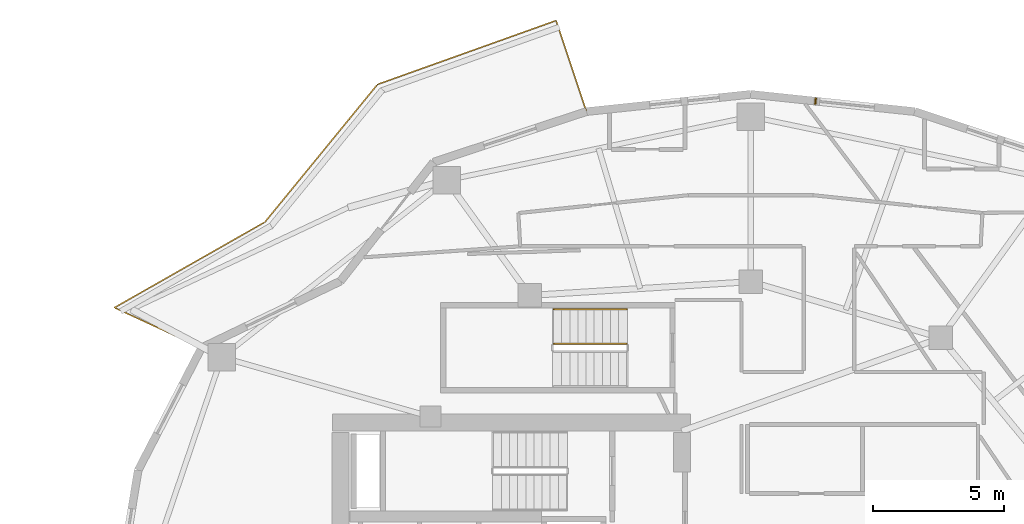
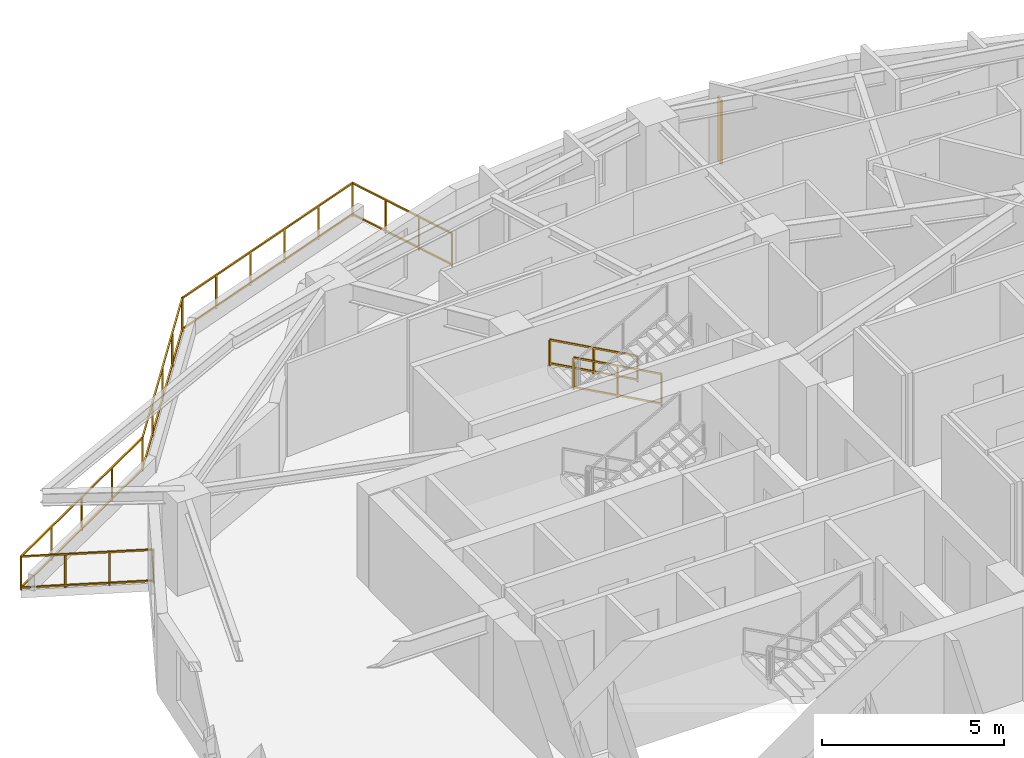
# One storey, part 16 of 17: 3 railings, 1 shading device.
"""IFC4 building model written with IfcOpenShell, lengths in metres."""

from ifc_helpers import new_model, si_unit, direction, frame, origin, origin_2d, place, context, subcontext, project, spatial, rectangle, extrude, material, type_object, element, save


model = new_model("IFC4")

# Units and contexts
model_context = context("Model", 3, precision=1e-05, world=origin(), true_north=direction((0.0, 1.0)))
body_context = subcontext(model_context, "Body", "Model", "MODEL_VIEW")
ifc_project = project(units=[si_unit("LENGTHUNIT", "METRE"), si_unit("AREAUNIT", "SQUARE_METRE"), si_unit("VOLUMEUNIT", "CUBIC_METRE"), si_unit("PLANEANGLEUNIT", "RADIAN"), si_unit("MASSUNIT", "GRAM", prefix="KILO")], contexts=[model_context])

# Site, building, storey
site_placement = place(None, origin())
site = spatial("IfcSite", under=ifc_project, at=site_placement, CompositionType="ELEMENT")
building_placement = place(site_placement, origin())
building = spatial("IfcBuilding", under=site, at=building_placement, Name="Kolvaren Gate Tower and Convention Centre", CompositionType="ELEMENT")
storey_placement = place(building_placement, frame((0.0, 0.0, 125.699951171875)))
storey = spatial("IfcBuildingStorey", under=building, at=storey_placement, Name="L31", CompositionType="ELEMENT", Elevation=125.699951171875)

# Railings
ifc_material_1 = material(Name="Brushed Stainless Steel Grade 316L", Category="steel")
railing_type_1 = type_object("IfcRailingType", Name="ARCH-RL-GUARD-1150", PredefinedType="GUARDRAIL", material=ifc_material_1)
railing_1_placement = place(storey_placement, frame((25.39990234375, 36.830078125, 0.170166015625)))
element("IfcRailing", 1, at=railing_1_placement, inside=storey, type_object=railing_type_1, Name="L31 ST-T3 stair guard 1", PredefinedType="GUARDRAIL", context=body_context, shape_type="SweptSolid", body=[
    extrude(rectangle(XDim=0.048095703125, YDim=0.048095703125, at=origin_2d()), frame((0.0, 0.0, 1.076171875), z_axis=(-0.876825974686, 0.0, 0.480807872353), x_axis=(0.0, -1.0, 0.0)), (0.0, 0.0, 1.0), 3.181640625),
    extrude(rectangle(XDim=0.048095703125, YDim=0.048095703125, at=origin_2d()), frame((0.0, 0.0, 0.083984375), z_axis=(-0.876825974686, 0.0, 0.480807872353), x_axis=(0.0, -1.0, 0.0)), (0.0, 0.0, 1.0), 3.181640625),
    extrude(rectangle(XDim=0.0419921875, YDim=0.0419921875, at=origin_2d()), origin(), (0.0, 0.0, 1.0), 1.050048828125),
    extrude(rectangle(XDim=0.0419921875, YDim=0.0419921875, at=origin_2d()), frame((-2.789794921875, 0.0, 1.52978515625)), (0.0, 0.0, 1.0), 1.050048828125),
    extrude(rectangle(XDim=0.0419921875, YDim=0.0419921875, at=origin_2d()), frame((-1.39501953125, 0.0, 0.764892578125)), (0.0, 0.0, 1.0), 1.050048828125),
])
railing_2_placement = place(storey_placement, frame((23.86474609375, 45.690673828125, 0.0)))
element("IfcRailing", 2, at=railing_2_placement, inside=storey, type_object=railing_type_1, Name="Tower L31 Terrace Perimeter Guardrail GR-1", PredefinedType="GUARDRAIL", context=body_context, shape_type="SweptSolid", body=[
    extrude(rectangle(XDim=0.048095703125, YDim=0.048095703125, at=origin_2d()), frame((-0.0087890625, 0.026611328125, 1.1259765625), z_axis=(-0.317588247294, 0.948228719867, 0.0), x_axis=(-0.948228719867, -0.317588247294, 0.0)), (0.0, 0.0, 1.0), 3.603759765625),
    extrude(rectangle(XDim=0.048095703125, YDim=0.048095703125, at=origin_2d()), frame((-0.0087890625, 0.026611328125, 0.083984375), z_axis=(-0.317588247294, 0.948228719867, 0.0), x_axis=(-0.948228719867, -0.317588247294, 0.0)), (0.0, 0.0, 1.0), 3.603759765625),
    extrude(rectangle(XDim=0.048095703125, YDim=0.048095703125, at=origin_2d()), frame((-1.188720703125, 3.4609375, 1.1259765625), z_axis=(-0.941628873241, -0.336652736627, 0.0), x_axis=(0.336652736627, -0.941628873241, 0.0)), (0.0, 0.0, 1.0), 7.17919921875),
    extrude(rectangle(XDim=0.048095703125, YDim=0.048095703125, at=origin_2d()), frame((-1.188720703125, 3.4609375, 0.083984375), z_axis=(-0.941628873241, -0.336652736627, 0.0), x_axis=(0.336652736627, -0.941628873241, 0.0)), (0.0, 0.0, 1.0), 7.17919921875),
    extrude(rectangle(XDim=0.048095703125, YDim=0.048095703125, at=origin_2d()), frame((-7.9931640625, 1.012939453125, 1.1259765625), z_axis=(-0.633002467947, -0.77414977593, 0.0), x_axis=(0.77414977593, -0.633002467947, 0.0)), (0.0, 0.0, 1.0), 6.724365234375),
    extrude(rectangle(XDim=0.048095703125, YDim=0.048095703125, at=origin_2d()), frame((-7.9931640625, 1.012939453125, 0.083984375), z_axis=(-0.633002467947, -0.77414977593, 0.0), x_axis=(0.77414977593, -0.633002467947, 0.0)), (0.0, 0.0, 1.0), 6.724365234375),
    extrude(rectangle(XDim=0.048095703125, YDim=0.048095703125, at=origin_2d()), frame((-12.291748046875, -4.228271484375, 1.1259765625), z_axis=(-0.869196694318, -0.494466486819, 0.0), x_axis=(0.494466486819, -0.869196694318, 0.0)), (0.0, 0.0, 1.0), 6.55029296875),
    extrude(rectangle(XDim=0.048095703125, YDim=0.048095703125, at=origin_2d()), frame((-12.291748046875, -4.228271484375, 0.083984375), z_axis=(-0.869196694318, -0.494466486819, 0.0), x_axis=(0.494466486819, -0.869196694318, 0.0)), (0.0, 0.0, 1.0), 6.55029296875),
    extrude(rectangle(XDim=0.048095703125, YDim=0.048095703125, at=origin_2d()), frame((-17.984130859375, -7.49267578125, 1.1259765625), z_axis=(0.907846116663, -0.419303503993, 0.0), x_axis=(0.419303503993, 0.907846116663, 0.0)), (0.0, 0.0, 1.0), 3.60400390625),
    extrude(rectangle(XDim=0.048095703125, YDim=0.048095703125, at=origin_2d()), frame((-17.984130859375, -7.49267578125, 0.083984375), z_axis=(0.907846116663, -0.419303503993, 0.0), x_axis=(0.419303503993, 0.907846116663, 0.0)), (0.0, 0.0, 1.0), 3.60400390625),
    extrude(rectangle(XDim=0.0419921875, YDim=0.0419921875, at=origin_2d()), origin(), (0.0, 0.0, 1.0), 1.14990234375),
    extrude(rectangle(XDim=0.0419921875, YDim=0.0419921875, at=origin_2d()), frame((-1.162353515625, 3.470458984375, 0.0)), (0.0, 0.0, 1.0), 1.14990234375),
    extrude(rectangle(XDim=0.0419921875, YDim=0.0419921875, at=origin_2d()), frame((-0.387451171875, 1.15673828125, 0.0)), (0.0, 0.0, 1.0), 1.099853515625),
    extrude(rectangle(XDim=0.0419921875, YDim=0.0419921875, at=origin_2d()), frame((-0.77490234375, 2.313720703125, 0.0)), (0.0, 0.0, 1.0), 1.099853515625),
    extrude(rectangle(XDim=0.0419921875, YDim=0.0419921875, at=origin_2d()), frame((-7.975341796875, 1.03466796875, 0.0)), (0.0, 0.0, 1.0), 1.14990234375),
    extrude(rectangle(XDim=0.0419921875, YDim=0.0419921875, at=origin_2d()), frame((-2.52490234375, 2.9833984375, 0.0)), (0.0, 0.0, 1.0), 1.099853515625),
    extrude(rectangle(XDim=0.0419921875, YDim=0.0419921875, at=origin_2d()), frame((-3.887451171875, 2.49609375, 0.0)), (0.0, 0.0, 1.0), 1.099853515625),
    extrude(rectangle(XDim=0.0419921875, YDim=0.0419921875, at=origin_2d()), frame((-5.250244140625, 2.009033203125, 0.0)), (0.0, 0.0, 1.0), 1.099853515625),
    extrude(rectangle(XDim=0.0419921875, YDim=0.0419921875, at=origin_2d()), frame((-6.61279296875, 1.521728515625, 0.0)), (0.0, 0.0, 1.0), 1.099853515625),
    extrude(rectangle(XDim=0.0419921875, YDim=0.0419921875, at=origin_2d()), frame((-12.267333984375, -4.21435546875, 0.0)), (0.0, 0.0, 1.0), 1.14990234375),
    extrude(rectangle(XDim=0.0419921875, YDim=0.0419921875, at=origin_2d()), frame((-9.04833984375, -0.277587890625, 0.0)), (0.0, 0.0, 1.0), 1.099853515625),
    extrude(rectangle(XDim=0.0419921875, YDim=0.0419921875, at=origin_2d()), frame((-10.121337890625, -1.58984375, 0.0)), (0.0, 0.0, 1.0), 1.099853515625),
    extrude(rectangle(XDim=0.0419921875, YDim=0.0419921875, at=origin_2d()), frame((-11.1943359375, -2.902099609375, 0.0)), (0.0, 0.0, 1.0), 1.099853515625),
    extrude(rectangle(XDim=0.0419921875, YDim=0.0419921875, at=origin_2d()), frame((-18.009521484375, -7.48095703125, 0.0)), (0.0, 0.0, 1.0), 1.14990234375),
    extrude(rectangle(XDim=0.0419921875, YDim=0.0419921875, at=origin_2d()), frame((-13.702880859375, -5.031005859375, 0.0)), (0.0, 0.0, 1.0), 1.099853515625),
    extrude(rectangle(XDim=0.0419921875, YDim=0.0419921875, at=origin_2d()), frame((-15.138427734375, -5.84765625, 0.0)), (0.0, 0.0, 1.0), 1.099853515625),
    extrude(rectangle(XDim=0.0419921875, YDim=0.0419921875, at=origin_2d()), frame((-16.573974609375, -6.664306640625, 0.0)), (0.0, 0.0, 1.0), 1.099853515625),
    extrude(rectangle(XDim=0.0419921875, YDim=0.0419921875, at=origin_2d()), frame((-14.686767578125, -9.015625, 0.0)), (0.0, 0.0, 1.0), 1.14990234375),
    extrude(rectangle(XDim=0.0419921875, YDim=0.0419921875, at=origin_2d()), frame((-16.90185546875, -7.992431640625, 0.0)), (0.0, 0.0, 1.0), 1.099853515625),
    extrude(rectangle(XDim=0.0419921875, YDim=0.0419921875, at=origin_2d()), frame((-15.79443359375, -8.504150390625, 0.0)), (0.0, 0.0, 1.0), 1.099853515625),
])
railing_type_2 = type_object("IfcRailingType", Name="ARCH-RL-HANDRAIL-920", PredefinedType="HANDRAIL", material=ifc_material_1)
railing_3_placement = place(storey_placement, frame((25.39990234375, 38.14990234375, 0.170166015625)))
element("IfcRailing", 3, at=railing_3_placement, inside=storey, type_object=railing_type_2, Name="L31 ST-T3 stair handrail 1", PredefinedType="HANDRAIL", context=body_context, shape_type="SweptSolid", body=[
    extrude(rectangle(XDim=0.048095703125, YDim=0.048095703125, at=origin_2d()), frame((0.0, 0.0, 0.8759765625), z_axis=(-0.876825974686, 0.0, 0.480807872353), x_axis=(0.0, -1.0, 0.0)), (0.0, 0.0, 1.0), 3.181640625),
    extrude(rectangle(XDim=0.048095703125, YDim=0.048095703125, at=origin_2d()), frame((0.0, 0.0, 0.083984375), z_axis=(-0.876825974686, 0.0, 0.480807872353), x_axis=(0.0, -1.0, 0.0)), (0.0, 0.0, 1.0), 3.181640625),
    extrude(rectangle(XDim=0.0419921875, YDim=0.0419921875, at=origin_2d()), origin(), (0.0, 0.0, 1.0), 0.849853515625),
    extrude(rectangle(XDim=0.0419921875, YDim=0.0419921875, at=origin_2d()), frame((-2.789794921875, 0.0, 1.52978515625)), (0.0, 0.0, 1.0), 0.849853515625),
    extrude(rectangle(XDim=0.0419921875, YDim=0.0419921875, at=origin_2d()), frame((-1.39501953125, 0.0, 0.764892578125)), (0.0, 0.0, 1.0), 0.849853515625),
])

# Shading device
ifc_material_2 = material(Name="Kiln-Fired Bogota Terracotta Ceramic Louvre Profile", Category="masonry")
shading_device_type = type_object("IfcShadingDeviceType", Name="ARCH-SHD-FIN-180", PredefinedType="JALOUSIE", material=ifc_material_2)
shading_device_placement = place(storey_placement, frame((32.601318359375, 46.089111328125, 0.22021484375), z_axis=(0.0, 0.0, 1.0), x_axis=(0.994499981166, -0.104736753152, 0.0)))
element("IfcShadingDevice", 4, at=shading_device_placement, inside=storey, type_object=shading_device_type, Name="Ceramic Vertical Brise-Soleil Fin FN-L31-05", PredefinedType="JALOUSIE", context=body_context, shape_type="SweptSolid", body=[
    extrude(rectangle(XDim=0.06005859375, YDim=0.239990234375, at=origin_2d()), origin(), (0.0, 0.0, 1.0), 2.14990234375),
])

save(model, "model.ifc")
